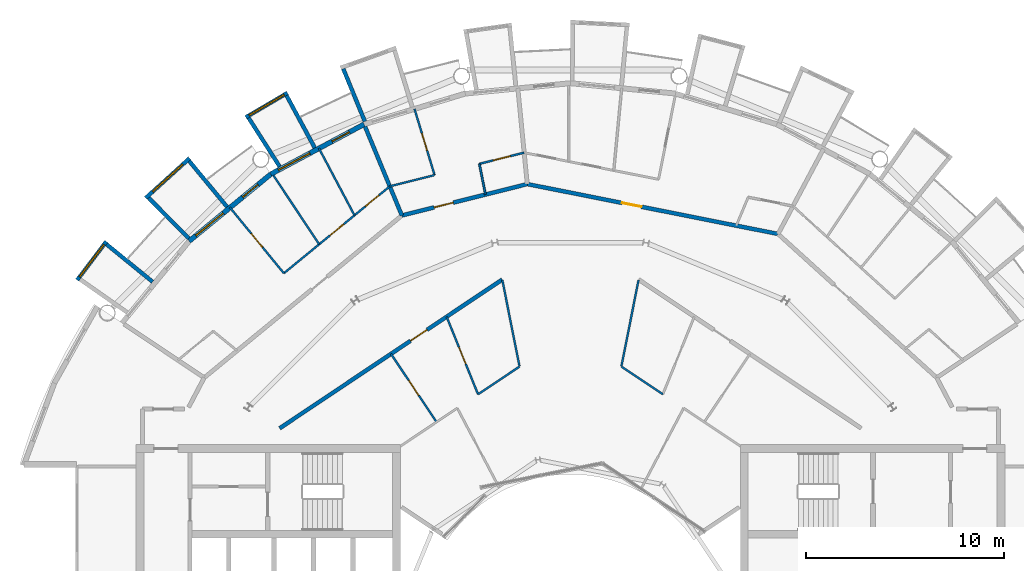
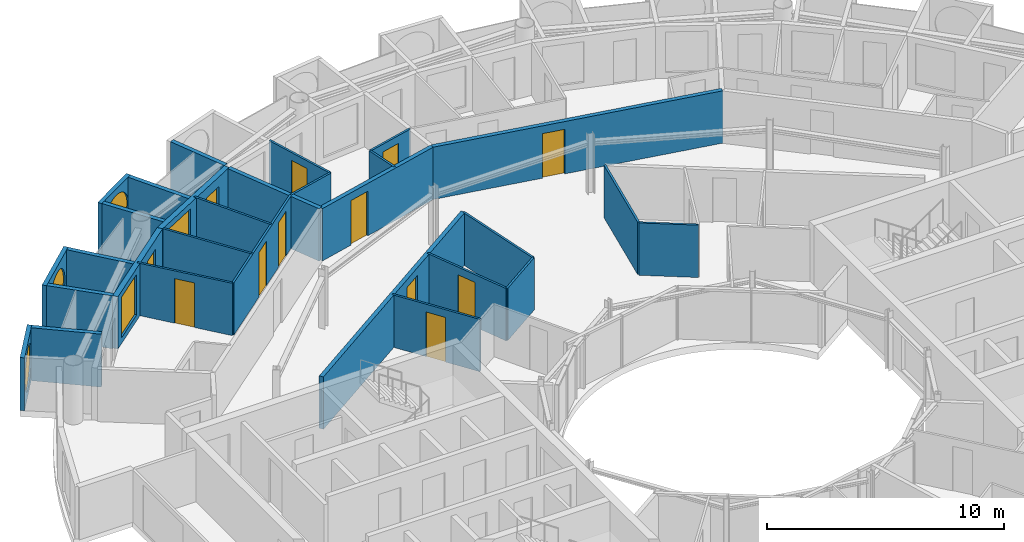
# One storey, part 21 of 28: 29 walls, 12 doors, 5 windows, 17 openings.
"""IFC4 building model written with IfcOpenShell, lengths in metres."""

from ifc_helpers import new_model, si_unit, direction, frame, frame_2d, origin, place, context, subcontext, project, spatial, rectangle, circle, extrude, material, layer, layer_set, type_object, element, fill, save


model = new_model("IFC4")

# Units and contexts
model_context = context("Model", 3, precision=1e-05, world=origin(), true_north=direction((0.0, 1.0)))
body_context = subcontext(model_context, "Body", "Model", "MODEL_VIEW")
ifc_project = project(units=[si_unit("LENGTHUNIT", "METRE"), si_unit("AREAUNIT", "SQUARE_METRE"), si_unit("VOLUMEUNIT", "CUBIC_METRE"), si_unit("PLANEANGLEUNIT", "RADIAN"), si_unit("MASSUNIT", "GRAM", prefix="KILO")], contexts=[model_context])

# Site, building, storey
site_placement = place(None, origin())
site = spatial("IfcSite", under=ifc_project, at=site_placement, CompositionType="ELEMENT")
building_placement = place(site_placement, origin())
building = spatial("IfcBuilding", under=site, at=building_placement, Name="Maasbend Ring Residences", CompositionType="ELEMENT")
storey_placement = place(building_placement, frame((0.0, 0.0, 227.949951171875)))
storey = spatial("IfcBuildingStorey", under=building, at=storey_placement, Name="L65", CompositionType="ELEMENT", Elevation=227.949951171875)

# Wall, opening, door
ifc_material_1 = material(Name="Concrete C30/37", Category="concrete")
ifc_layer_1 = layer(ifc_material_1, 0.199951171875)
ifc_layer_set_1 = layer_set([ifc_layer_1], Name="Concrete C30/37")
wall_type_1 = type_object("IfcWallType", Name="CORRIDOR WALL 200 CONCRETE", PredefinedType="PARTITIONING", material=ifc_layer_set_1)
wall_1_placement = place(storey_placement, frame((-14.718017578125, 9.83203125, 0.0), z_axis=(0.0, 0.0, 1.0), x_axis=(0.831437137577, 0.555618831806, 0.0)))
wall_1 = element("IfcWall", 1, at=wall_1_placement, inside=storey, type_object=wall_type_1, Name="U-L65-w091", PredefinedType="PARTITIONING", context=body_context, shape_type="SweptSolid", body=[
    extrude(rectangle(XDim=13.549072265625, YDim=0.199951171875, at=frame_2d((6.7744140625, 0.0))), origin(), (0.0, 0.0, 1.0), 2.699951171875),
])
opening_1_placement = place(wall_1_placement, frame((7.968017578125, 0.0, 0.0)))
opening_1 = element("IfcOpeningElement", 2, at=opening_1_placement, cuts=wall_1, Name="Opening D-6523", PredefinedType="OPENING", context=body_context, shape_type="SweptSolid", body=[
    extrude(rectangle(XDim=1.0, YDim=2.300048828125, at=frame_2d((0.5, 1.14990234375))), frame((0.0, 0.10986328125, 0.0), z_axis=(0.0, -1.0, 0.0), x_axis=(1.0, 0.0, 0.0)), (0.0, 0.0, 1.0), 0.219970703125),
])
ifc_material_2 = material(Name="Timber, fire-rated, painted", Category="wood")
door_type_1 = type_object("IfcDoorType", Name="FLAT ENTRANCE DOOR 1000 X 2300 FIRE-RATED", OperationType="NOTDEFINED", PredefinedType="DOOR", material=ifc_material_2)
door_1_placement = place(opening_1_placement, origin())
door_1 = element("IfcDoor", 3, at=door_1_placement, inside=storey, type_object=door_type_1, Name="D-6523", OperationType="SINGLE_SWING_RIGHT", OverallHeight=2.300048828125, OverallWidth=1.0, PredefinedType="DOOR", context=body_context, shape_type="SweptSolid", body=[
    extrude(rectangle(XDim=1.0, YDim=2.300048828125, at=frame_2d((0.5, 1.14990234375))), frame((0.0, 0.02490234375, 0.0), z_axis=(0.0, -1.0, 0.0), x_axis=(1.0, 0.0, 0.0)), (0.0, 0.0, 1.0), 0.050048828125),
])
fill(opening_1, door_1)

wall_2_placement = place(storey_placement, frame((-2.18603515625, 22.193115234375, 0.0), z_axis=(0.0, 0.0, 1.0), x_axis=(0.980780341017, -0.195115152343, 0.0)))
wall_2 = element("IfcWall", 4, at=wall_2_placement, inside=storey, type_object=wall_type_1, Name="U-L65-w094", PredefinedType="PARTITIONING", context=body_context, shape_type="SweptSolid", body=[
    extrude(rectangle(XDim=12.94677734375, YDim=0.199951171875, at=frame_2d((6.473388671875, 0.0))), origin(), (0.0, 0.0, 1.0), 2.699951171875),
])
opening_2_placement = place(wall_2_placement, frame((4.89501953125, 0.0, 0.0)))
opening_2 = element("IfcOpeningElement", 5, at=opening_2_placement, cuts=wall_2, Name="Opening D-6506", PredefinedType="OPENING", context=body_context, shape_type="SweptSolid", body=[
    extrude(rectangle(XDim=1.0, YDim=2.300048828125, at=frame_2d((0.5, 1.14990234375))), frame((0.0, 0.10986328125, 0.0), z_axis=(0.0, -1.0, 0.0), x_axis=(1.0, 0.0, 0.0)), (0.0, 0.0, 1.0), 0.219970703125),
])
door_2_placement = place(opening_2_placement, origin())
door_2 = element("IfcDoor", 6, at=door_2_placement, inside=storey, type_object=door_type_1, Name="D-6506", OperationType="SINGLE_SWING_LEFT", OverallHeight=2.300048828125, OverallWidth=1.0, PredefinedType="DOOR", context=body_context, shape_type="SweptSolid", body=[
    extrude(rectangle(XDim=1.0, YDim=2.300048828125, at=frame_2d((0.5, 1.14990234375))), frame((0.0, 0.02490234375, 0.0), z_axis=(0.0, -1.0, 0.0), x_axis=(1.0, 0.0, 0.0)), (0.0, 0.0, 1.0), 0.050048828125),
])
fill(opening_2, door_2)

wall_3_placement = place(storey_placement, frame((-8.533935546875, 20.60302734375, 0.0), z_axis=(0.0, 0.0, 1.0), x_axis=(0.97003047456, 0.242983288366, 0.0)))
wall_3 = element("IfcWall", 7, at=wall_3_placement, inside=storey, type_object=wall_type_1, Name="U-L65-w098", PredefinedType="PARTITIONING", context=body_context, shape_type="SweptSolid", body=[
    extrude(rectangle(XDim=6.5439453125, YDim=0.199951171875, at=frame_2d((3.27197265625, 0.0))), origin(), (0.0, 0.0, 1.0), 2.699951171875),
])
opening_3_placement = place(wall_3_placement, frame((1.680908203125, 0.0, 0.0)))
opening_3 = element("IfcOpeningElement", 8, at=opening_3_placement, cuts=wall_3, Name="Opening D-6511", PredefinedType="OPENING", context=body_context, shape_type="SweptSolid", body=[
    extrude(rectangle(XDim=1.0, YDim=2.300048828125, at=frame_2d((0.5, 1.14990234375))), frame((0.0, 0.10986328125, 0.0), z_axis=(0.0, -1.0, 0.0), x_axis=(1.0, 0.0, 0.0)), (0.0, 0.0, 1.0), 0.219970703125),
])
door_3_placement = place(opening_3_placement, origin())
door_3 = element("IfcDoor", 9, at=door_3_placement, inside=storey, type_object=door_type_1, Name="D-6511", OperationType="SINGLE_SWING_LEFT", OverallHeight=2.300048828125, OverallWidth=1.0, PredefinedType="DOOR", context=body_context, shape_type="SweptSolid", body=[
    extrude(rectangle(XDim=1.0, YDim=2.300048828125, at=frame_2d((0.5, 1.14990234375))), frame((0.0, 0.02490234375, 0.0), z_axis=(0.0, -1.0, 0.0), x_axis=(1.0, 0.0, 0.0)), (0.0, 0.0, 1.0), 0.050048828125),
])
fill(opening_3, door_3)

# Wall
ifc_material_3 = material(Name="Pale anodised aluminium panel", Category="aluminium")
ifc_layer_2 = layer(ifc_material_3, 0.199951171875)
ifc_layer_set_2 = layer_set([ifc_layer_2], Name="EW-BOX")
wall_type_2 = type_object("IfcWallType", Name="EW-BOX", PredefinedType="SOLIDWALL", material=ifc_layer_set_2)
wall_4_placement = place(storey_placement, frame((-10.408935546875, 25.364013671875, -0.030029296875), z_axis=(0.0, 0.0, 1.0), x_axis=(-0.379509886562, 0.925187681501, 0.0)))
element("IfcWall", 10, at=wall_4_placement, inside=storey, type_object=wall_type_2, Name="Box side wall N14 right", PredefinedType="SOLIDWALL", context=body_context, shape_type="SweptSolid", body=[
    extrude(rectangle(XDim=2.882568359375, YDim=0.199951171875, at=frame_2d((1.44140625, 0.0))), origin(), (0.0, 0.0, 1.0), 2.72998046875),
])

# Wall, opening, window
wall_5_placement = place(storey_placement, frame((-14.326904296875, 26.81201171875, -0.030029296875), z_axis=(0.0, 0.0, 1.0), x_axis=(-0.862403467503, -0.506221551535, 0.0)))
wall_5 = element("IfcWall", 11, at=wall_5_placement, inside=storey, type_object=wall_type_2, Name="Box front N16", PredefinedType="SOLIDWALL", context=body_context, shape_type="SweptSolid", body=[
    extrude(rectangle(XDim=2.445556640625, YDim=0.199951171875, at=frame_2d((1.22265625, 0.0))), origin(), (0.0, 0.0, 1.0), 2.72998046875),
])
opening_4_placement = place(wall_5_placement, frame((0.182861328125, 0.0, 0.330078125)))
opening_4 = element("IfcOpeningElement", 12, at=opening_4_placement, cuts=wall_5, Name="Opening W-RD", PredefinedType="OPENING", context=body_context, shape_type="SweptSolid", body=[
    extrude(circle(Radius=1.0400390625, at=frame_2d((1.0400390625, 1.0400390625))), frame((0.0, 0.10986328125, 0.0), z_axis=(0.0, -1.0, 0.0), x_axis=(1.0, 0.0, 0.0)), (0.0, 0.0, 1.0), 0.219970703125),
])
ifc_material_4 = material(Name="Aluminium and clear glass", Category="aluminium")
window_type_1 = type_object("IfcWindowType", Name="W-RD", PartitioningType="SINGLE_PANEL", PredefinedType="WINDOW", material=ifc_material_4)
window_1_placement = place(opening_4_placement, origin())
window_1 = element("IfcWindow", 13, at=window_1_placement, inside=storey, type_object=window_type_1, Name="Round window N16", OverallHeight=2.080078125, OverallWidth=2.080078125, PartitioningType="SINGLE_PANEL", PredefinedType="WINDOW", context=body_context, shape_type="SweptSolid", body=[
    extrude(circle(Radius=1.0400390625, at=frame_2d((1.0400390625, 1.0400390625))), frame((0.0, 0.030029296875, 0.0), z_axis=(0.0, -1.0, 0.0), x_axis=(1.0, 0.0, 0.0)), (0.0, 0.0, 1.0), 0.06005859375),
])
fill(opening_4, window_1)

# Walls
wall_6_placement = place(storey_placement, frame((-12.945068359375, 24.029052734375, -0.030029296875), z_axis=(0.0, 0.0, 1.0), x_axis=(-0.474424310775, 0.88029629861, 0.0)))
element("IfcWall", 14, at=wall_6_placement, inside=storey, type_object=wall_type_2, Name="Box side wall N16 left", PredefinedType="SOLIDWALL", context=body_context, shape_type="SweptSolid", body=[
    extrude(rectangle(XDim=3.005859375, YDim=0.199951171875, at=frame_2d((1.5029296875, 0.0))), origin(), (0.0, 0.0, 1.0), 2.72998046875),
])
wall_7_placement = place(storey_placement, frame((-14.721923828125, 23.0791015625, -0.030029296875), z_axis=(0.0, 0.0, 1.0), x_axis=(-0.537572179146, 0.843217737129, 0.0)))
element("IfcWall", 15, at=wall_7_placement, inside=storey, type_object=wall_type_2, Name="Box side wall N16 right", PredefinedType="SOLIDWALL", context=body_context, shape_type="SweptSolid", body=[
    extrude(rectangle(XDim=2.92431640625, YDim=0.199951171875, at=frame_2d((1.462158203125, 0.0))), origin(), (0.0, 0.0, 1.0), 2.72998046875),
])

# Wall, opening, window
wall_8_placement = place(storey_placement, frame((-19.281982421875, 23.5029296875, -0.030029296875), z_axis=(0.0, 0.0, 1.0), x_axis=(-0.740998365753, -0.671506829416, 0.0)))
wall_8 = element("IfcWall", 16, at=wall_8_placement, inside=storey, type_object=wall_type_2, Name="Box front N18", PredefinedType="SOLIDWALL", context=body_context, shape_type="SweptSolid", body=[
    extrude(rectangle(XDim=2.9931640625, YDim=0.199951171875, at=frame_2d((1.49658203125, 0.0))), origin(), (0.0, 0.0, 1.0), 2.72998046875),
])
opening_5_placement = place(wall_8_placement, frame((0.45654296875, 0.0, 0.330078125)))
opening_5 = element("IfcOpeningElement", 17, at=opening_5_placement, cuts=wall_8, Name="Opening W-RD", PredefinedType="OPENING", context=body_context, shape_type="SweptSolid", body=[
    extrude(circle(Radius=1.0400390625, at=frame_2d((1.0400390625, 1.0400390625))), frame((0.0, 0.10986328125, 0.0), z_axis=(0.0, -1.0, 0.0), x_axis=(1.0, 0.0, 0.0)), (0.0, 0.0, 1.0), 0.219970703125),
])
window_2_placement = place(opening_5_placement, origin())
window_2 = element("IfcWindow", 18, at=window_2_placement, inside=storey, type_object=window_type_1, Name="Round window N18", OverallHeight=2.080078125, OverallWidth=2.080078125, PartitioningType="SINGLE_PANEL", PredefinedType="WINDOW", context=body_context, shape_type="SweptSolid", body=[
    extrude(circle(Radius=1.0400390625, at=frame_2d((1.0400390625, 1.0400390625))), frame((0.0, 0.030029296875, 0.0), z_axis=(0.0, -1.0, 0.0), x_axis=(1.0, 0.0, 0.0)), (0.0, 0.0, 1.0), 0.06005859375),
])
fill(opening_5, window_2)

# Walls
wall_9_placement = place(storey_placement, frame((-17.384033203125, 21.041015625, -0.030029296875), z_axis=(0.0, 0.0, 1.0), x_axis=(-0.63709551667, 0.770784861449, 0.0)))
element("IfcWall", 19, at=wall_9_placement, inside=storey, type_object=wall_type_2, Name="Box side wall N18 left", PredefinedType="SOLIDWALL", context=body_context, shape_type="SweptSolid", body=[
    extrude(rectangle(XDim=3.005859375, YDim=0.199951171875, at=frame_2d((1.5029296875, 0.0))), origin(), (0.0, 0.0, 1.0), 2.72998046875),
])
wall_10_placement = place(storey_placement, frame((-19.322998046875, 19.449951171875, -0.030029296875), z_axis=(0.0, 0.0, 1.0), x_axis=(-0.704476739375, 0.709727076896, 0.0)))
element("IfcWall", 20, at=wall_10_placement, inside=storey, type_object=wall_type_2, Name="Box side wall N18 right", PredefinedType="SOLIDWALL", context=body_context, shape_type="SweptSolid", body=[
    extrude(rectangle(XDim=2.883056640625, YDim=0.199951171875, at=frame_2d((1.44140625, 0.0))), origin(), (0.0, 0.0, 1.0), 2.72998046875),
])

# Wall, opening, window
wall_11_placement = place(storey_placement, frame((-23.4970703125, 19.2890625, -0.030029296875), z_axis=(0.0, 0.0, 1.0), x_axis=(-0.602806268067, -0.797887588059, 0.0)))
wall_11 = element("IfcWall", 21, at=wall_11_placement, inside=storey, type_object=wall_type_2, Name="Box front N20", PredefinedType="SOLIDWALL", context=body_context, shape_type="SweptSolid", body=[
    extrude(rectangle(XDim=2.446533203125, YDim=0.199951171875, at=frame_2d((1.22314453125, 0.0))), origin(), (0.0, 0.0, 1.0), 2.72998046875),
])
opening_6_placement = place(wall_11_placement, frame((0.182861328125, 0.0, 0.330078125)))
opening_6 = element("IfcOpeningElement", 22, at=opening_6_placement, cuts=wall_11, Name="Opening W-RD", PredefinedType="OPENING", context=body_context, shape_type="SweptSolid", body=[
    extrude(circle(Radius=1.0400390625, at=frame_2d((1.0400390625, 1.0400390625))), frame((0.0, 0.10986328125, 0.0), z_axis=(0.0, -1.0, 0.0), x_axis=(1.0, 0.0, 0.0)), (0.0, 0.0, 1.0), 0.219970703125),
])
window_3_placement = place(opening_6_placement, origin())
window_3 = element("IfcWindow", 23, at=window_3_placement, inside=storey, type_object=window_type_1, Name="Round window N20", OverallHeight=2.080078125, OverallWidth=2.080078125, PartitioningType="SINGLE_PANEL", PredefinedType="WINDOW", context=body_context, shape_type="SweptSolid", body=[
    extrude(circle(Radius=1.0400390625, at=frame_2d((1.0400390625, 1.0400390625))), frame((0.0, 0.030029296875, 0.0), z_axis=(0.0, -1.0, 0.0), x_axis=(1.0, 0.0, 0.0)), (0.0, 0.0, 1.0), 0.06005859375),
])
fill(opening_6, window_3)

# Wall
wall_12_placement = place(storey_placement, frame((-21.155029296875, 17.24609375, -0.030029296875), z_axis=(0.0, 0.0, 1.0), x_axis=(-0.775179004516, 0.631741648902, 0.0)))
element("IfcWall", 24, at=wall_12_placement, inside=storey, type_object=wall_type_2, Name="Box side wall N20 left", PredefinedType="SOLIDWALL", context=body_context, shape_type="SweptSolid", body=[
    extrude(rectangle(XDim=3.005859375, YDim=0.199951171875, at=frame_2d((1.5029296875, 0.0))), origin(), (0.0, 0.0, 1.0), 2.72998046875),
])

# Wall, openings, door, window
ifc_material_5 = material(Name="Aluminium clad insulated panel", Category="aluminium")
ifc_layer_3 = layer(ifc_material_5, 0.25)
ifc_layer_set_3 = layer_set([ifc_layer_3], Name="EW-GL")
wall_type_3 = type_object("IfcWallType", Name="EW-GL", PredefinedType="SOLIDWALL", material=ifc_layer_set_3)
wall_13_placement = place(storey_placement, frame((-10.447021484375, 25.221923828125, 0.0), z_axis=(0.0, 0.0, 1.0), x_axis=(-0.881915646801, -0.471407246368, 0.0)))
wall_13 = element("IfcWall", 25, at=wall_13_placement, inside=storey, type_object=wall_type_3, Name="External wall N08", PredefinedType="SOLIDWALL", context=body_context, shape_type="SweptSolid", body=[
    extrude(rectangle(XDim=5.35205078125, YDim=0.25, at=frame_2d((2.676025390625, 0.0))), origin(), (0.0, 0.0, 1.0), 2.699951171875),
])
opening_7_placement = place(wall_13_placement, frame((0.841064453125, 0.0, 0.0)))
opening_7 = element("IfcOpeningElement", 26, at=opening_7_placement, cuts=wall_13, Name="Opening D-LG", PredefinedType="OPENING", context=body_context, shape_type="SweptSolid", body=[
    extrude(rectangle(XDim=1.0, YDim=2.199951171875, at=frame_2d((0.5, 1.10009765625))), frame((0.0, 0.135009765625, 0.0), z_axis=(0.0, -1.0, 0.0), x_axis=(1.0, 0.0, 0.0)), (0.0, 0.0, 1.0), 0.27001953125),
])
opening_8_placement = place(wall_13_placement, frame((3.110595703125, 0.0, 0.300048828125)))
opening_8 = element("IfcOpeningElement", 27, at=opening_8_placement, cuts=wall_13, Name="Opening W-BX", PredefinedType="OPENING", context=body_context, shape_type="SweptSolid", body=[
    extrude(rectangle(XDim=1.800048828125, YDim=2.10009765625, at=frame_2d((0.89990234375, 1.050048828125))), frame((0.0, 0.135009765625, 0.0), z_axis=(0.0, -1.0, 0.0), x_axis=(1.0, 0.0, 0.0)), (0.0, 0.0, 1.0), 0.27001953125),
])
ifc_material_6 = material(Name="Aluminium and clear glass", Category="aluminium")
door_type_2 = type_object("IfcDoorType", Name="D-LG", OperationType="SINGLE_SWING_LEFT", PredefinedType="DOOR", material=ifc_material_6)
door_4_placement = place(opening_7_placement, origin())
door_4 = element("IfcDoor", 28, at=door_4_placement, inside=storey, type_object=door_type_2, Name="Loggia door N15", OperationType="SINGLE_SWING_LEFT", OverallHeight=2.199951171875, OverallWidth=1.0, PredefinedType="DOOR", context=body_context, shape_type="SweptSolid", body=[
    extrude(rectangle(XDim=1.0, YDim=2.199951171875, at=frame_2d((0.5, 1.10009765625))), frame((0.0, 0.02490234375, 0.0), z_axis=(0.0, -1.0, 0.0), x_axis=(1.0, 0.0, 0.0)), (0.0, 0.0, 1.0), 0.050048828125),
])
fill(opening_7, door_4)
ifc_material_7 = material(Name="Aluminium and clear glass", Category="aluminium")
window_type_2 = type_object("IfcWindowType", Name="W-BX", PartitioningType="DOUBLE_PANEL_VERTICAL", PredefinedType="WINDOW", material=ifc_material_7)
window_4_placement = place(opening_8_placement, origin())
window_4 = element("IfcWindow", 29, at=window_4_placement, inside=storey, type_object=window_type_2, Name="Window N16 room to box", OverallHeight=2.10009765625, OverallWidth=1.800048828125, PartitioningType="SINGLE_PANEL", PredefinedType="WINDOW", context=body_context, shape_type="SweptSolid", body=[
    extrude(rectangle(XDim=1.800048828125, YDim=2.10009765625, at=frame_2d((0.89990234375, 1.050048828125))), frame((0.0, 0.030029296875, 0.0), z_axis=(0.0, -1.0, 0.0), x_axis=(1.0, 0.0, 0.0)), (0.0, 0.0, 1.0), 0.06005859375),
])
fill(opening_8, window_4)

wall_14_placement = place(storey_placement, frame((-15.1669921875, 22.698974609375, 0.0), z_axis=(0.0, 0.0, 1.0), x_axis=(-0.773019449054, -0.634382322723, 0.0)))
wall_14 = element("IfcWall", 30, at=wall_14_placement, inside=storey, type_object=wall_type_3, Name="External wall N09", PredefinedType="SOLIDWALL", context=body_context, shape_type="SweptSolid", body=[
    extrude(rectangle(XDim=5.351806640625, YDim=0.25, at=frame_2d((2.67578125, 0.0))), origin(), (0.0, 0.0, 1.0), 2.699951171875),
])
opening_9_placement = place(wall_14_placement, frame((0.841064453125, 0.0, 0.0)))
opening_9 = element("IfcOpeningElement", 31, at=opening_9_placement, cuts=wall_14, Name="Opening D-LG", PredefinedType="OPENING", context=body_context, shape_type="SweptSolid", body=[
    extrude(rectangle(XDim=1.0, YDim=2.199951171875, at=frame_2d((0.5, 1.10009765625))), frame((0.0, 0.135009765625, 0.0), z_axis=(0.0, -1.0, 0.0), x_axis=(1.0, 0.0, 0.0)), (0.0, 0.0, 1.0), 0.27001953125),
])
opening_10_placement = place(wall_14_placement, frame((3.110595703125, 0.0, 0.300048828125)))
opening_10 = element("IfcOpeningElement", 32, at=opening_10_placement, cuts=wall_14, Name="Opening W-BX", PredefinedType="OPENING", context=body_context, shape_type="SweptSolid", body=[
    extrude(rectangle(XDim=1.800048828125, YDim=2.10009765625, at=frame_2d((0.89990234375, 1.050048828125))), frame((0.0, 0.135009765625, 0.0), z_axis=(0.0, -1.0, 0.0), x_axis=(1.0, 0.0, 0.0)), (0.0, 0.0, 1.0), 0.27001953125),
])
door_5_placement = place(opening_9_placement, origin())
door_5 = element("IfcDoor", 33, at=door_5_placement, inside=storey, type_object=door_type_2, Name="Loggia door N17", OperationType="SINGLE_SWING_LEFT", OverallHeight=2.199951171875, OverallWidth=1.0, PredefinedType="DOOR", context=body_context, shape_type="SweptSolid", body=[
    extrude(rectangle(XDim=1.0, YDim=2.199951171875, at=frame_2d((0.5, 1.10009765625))), frame((0.0, 0.02490234375, 0.0), z_axis=(0.0, -1.0, 0.0), x_axis=(1.0, 0.0, 0.0)), (0.0, 0.0, 1.0), 0.050048828125),
])
fill(opening_9, door_5)
window_5_placement = place(opening_10_placement, origin())
window_5 = element("IfcWindow", 34, at=window_5_placement, inside=storey, type_object=window_type_2, Name="Window N18 room to box", OverallHeight=2.10009765625, OverallWidth=1.800048828125, PartitioningType="SINGLE_PANEL", PredefinedType="WINDOW", context=body_context, shape_type="SweptSolid", body=[
    extrude(rectangle(XDim=1.800048828125, YDim=2.10009765625, at=frame_2d((0.89990234375, 1.050048828125))), frame((0.0, 0.030029296875, 0.0), z_axis=(0.0, -1.0, 0.0), x_axis=(1.0, 0.0, 0.0)), (0.0, 0.0, 1.0), 0.06005859375),
])
fill(opening_10, window_5)

# Wall
ifc_material_8 = material(Name="Gypsum board on steel studs", Category="steel")
ifc_layer_4 = layer(ifc_material_8, 0.10009765625)
ifc_layer_set_4 = layer_set([ifc_layer_4], Name="PARTITION 100 GYPSUM")
wall_type_4 = type_object("IfcWallType", Name="PARTITION 100 GYPSUM", PredefinedType="PARTITIONING", material=ifc_layer_set_4)
wall_15_placement = place(storey_placement, frame((-4.610107421875, 23.217041015625, 0.0), z_axis=(0.0, 0.0, 1.0), x_axis=(0.194485862594, -0.980905321247, 0.0)))
element("IfcWall", 35, at=wall_15_placement, inside=storey, type_object=wall_type_4, Name="U-L65-w031", PredefinedType="PARTITIONING", context=body_context, shape_type="SweptSolid", body=[
    extrude(rectangle(XDim=1.584228515625, YDim=0.10009765625, at=frame_2d((0.7919921875, 0.0))), origin(), (0.0, 0.0, 1.0), 2.699951171875),
])

# Wall, opening, door
wall_16_placement = place(storey_placement, frame((-17.239990234375, 21.007080078125, 0.0), z_axis=(0.0, 0.0, 1.0), x_axis=(0.634342681687, -0.77305197897, 0.0)))
wall_16 = element("IfcWall", 36, at=wall_16_placement, inside=storey, type_object=wall_type_4, Name="U-L65-w037", PredefinedType="PARTITIONING", context=body_context, shape_type="SweptSolid", body=[
    extrude(rectangle(XDim=4.30517578125, YDim=0.10009765625, at=frame_2d((2.152587890625, 0.0))), origin(), (0.0, 0.0, 1.0), 2.699951171875),
])
opening_11_placement = place(wall_16_placement, frame((1.702880859375, 0.0, 0.0)))
opening_11 = element("IfcOpeningElement", 37, at=opening_11_placement, cuts=wall_16, Name="Opening D-6516", PredefinedType="OPENING", context=body_context, shape_type="SweptSolid", body=[
    extrude(rectangle(XDim=0.89990234375, YDim=2.300048828125, at=frame_2d((0.449951171875, 1.14990234375))), frame((0.0, 0.06005859375, 0.0), z_axis=(0.0, -1.0, 0.0), x_axis=(1.0, 0.0, 0.0)), (0.0, 0.0, 1.0), 0.1201171875),
])
ifc_material_9 = material(Name="Timber, painted", Category="wood")
door_type_3 = type_object("IfcDoorType", Name="INTERNAL DOOR 900 X 2300", OperationType="NOTDEFINED", PredefinedType="DOOR", material=ifc_material_9)
door_6_placement = place(opening_11_placement, origin())
door_6 = element("IfcDoor", 38, at=door_6_placement, inside=storey, type_object=door_type_3, Name="D-6516", OperationType="SINGLE_SWING_LEFT", OverallHeight=2.300048828125, OverallWidth=0.89990234375, PredefinedType="DOOR", context=body_context, shape_type="SweptSolid", body=[
    extrude(rectangle(XDim=0.89990234375, YDim=2.300048828125, at=frame_2d((0.449951171875, 1.14990234375))), frame((0.0, 0.02490234375, 0.0), z_axis=(0.0, -1.0, 0.0), x_axis=(1.0, 0.0, 0.0)), (0.0, 0.0, 1.0), 0.050048828125),
])
fill(opening_11, door_6)

# Wall
wall_17_placement = place(storey_placement, frame((-12.73388671875, 24.007080078125, 0.0), z_axis=(0.0, 0.0, 1.0), x_axis=(0.468594334564, -0.883413464701, 0.0)))
element("IfcWall", 39, at=wall_17_placement, inside=storey, type_object=wall_type_4, Name="U-L65-w039", PredefinedType="PARTITIONING", context=body_context, shape_type="SweptSolid", body=[
    extrude(rectangle(XDim=3.8408203125, YDim=0.10009765625, at=frame_2d((1.92041015625, 0.0))), origin(), (0.0, 0.0, 1.0), 2.699951171875),
])

# Wall, opening, door
wall_18_placement = place(storey_placement, frame((-9.0849609375, 13.596923828125, 0.0), z_axis=(0.0, 0.0, 1.0), x_axis=(0.555528237031, -0.831497671591, 0.0)))
wall_18 = element("IfcWall", 40, at=wall_18_placement, inside=storey, type_object=wall_type_4, Name="U-L65-w043", PredefinedType="PARTITIONING", context=body_context, shape_type="SweptSolid", body=[
    extrude(rectangle(XDim=4.149169921875, YDim=0.10009765625, at=frame_2d((2.07470703125, 0.0))), origin(), (0.0, 0.0, 1.0), 2.699951171875),
])
opening_12_placement = place(wall_18_placement, frame((1.625, 0.0, 0.0)))
opening_12 = element("IfcOpeningElement", 41, at=opening_12_placement, cuts=wall_18, Name="Opening D-6525", PredefinedType="OPENING", context=body_context, shape_type="SweptSolid", body=[
    extrude(rectangle(XDim=0.89990234375, YDim=2.300048828125, at=frame_2d((0.449951171875, 1.14990234375))), frame((0.0, 0.06005859375, 0.0), z_axis=(0.0, -1.0, 0.0), x_axis=(1.0, 0.0, 0.0)), (0.0, 0.0, 1.0), 0.1201171875),
])
door_7_placement = place(opening_12_placement, origin())
door_7 = element("IfcDoor", 42, at=door_7_placement, inside=storey, type_object=door_type_3, Name="D-6525", OperationType="SINGLE_SWING_LEFT", OverallHeight=2.300048828125, OverallWidth=0.89990234375, PredefinedType="DOOR", context=body_context, shape_type="SweptSolid", body=[
    extrude(rectangle(XDim=0.89990234375, YDim=2.300048828125, at=frame_2d((0.449951171875, 1.14990234375))), frame((0.0, 0.02490234375, 0.0), z_axis=(0.0, -1.0, 0.0), x_axis=(1.0, 0.0, 0.0)), (0.0, 0.0, 1.0), 0.050048828125),
])
fill(opening_12, door_7)

wall_19_placement = place(storey_placement, frame((-7.89697265625, 26.001953125, 0.0), z_axis=(0.0, 0.0, 1.0), x_axis=(0.290784578865, -0.956788549625, 0.0)))
wall_19 = element("IfcWall", 43, at=wall_19_placement, inside=storey, type_object=wall_type_4, Name="U-L65-w045", PredefinedType="PARTITIONING", context=body_context, shape_type="SweptSolid", body=[
    extrude(rectangle(XDim=3.50439453125, YDim=0.10009765625, at=frame_2d((1.752197265625, 0.0))), origin(), (0.0, 0.0, 1.0), 2.699951171875),
])
opening_13_placement = place(wall_19_placement, frame((1.302001953125, 0.0, 0.0)))
opening_13 = element("IfcOpeningElement", 44, at=opening_13_placement, cuts=wall_19, Name="Opening D-6513", PredefinedType="OPENING", context=body_context, shape_type="SweptSolid", body=[
    extrude(rectangle(XDim=0.89990234375, YDim=2.300048828125, at=frame_2d((0.449951171875, 1.14990234375))), frame((0.0, 0.06005859375, 0.0), z_axis=(0.0, -1.0, 0.0), x_axis=(1.0, 0.0, 0.0)), (0.0, 0.0, 1.0), 0.1201171875),
])
door_8_placement = place(opening_13_placement, origin())
door_8 = element("IfcDoor", 45, at=door_8_placement, inside=storey, type_object=door_type_3, Name="D-6513", OperationType="SINGLE_SWING_RIGHT", OverallHeight=2.300048828125, OverallWidth=0.89990234375, PredefinedType="DOOR", context=body_context, shape_type="SweptSolid", body=[
    extrude(rectangle(XDim=0.89990234375, YDim=2.300048828125, at=frame_2d((0.449951171875, 1.14990234375))), frame((0.0, 0.02490234375, 0.0), z_axis=(0.0, -1.0, 0.0), x_axis=(1.0, 0.0, 0.0)), (0.0, 0.0, 1.0), 0.050048828125),
])
fill(opening_13, door_8)

wall_20_placement = place(storey_placement, frame((-6.26904296875, 15.47802734375, 0.0), z_axis=(0.0, 0.0, 1.0), x_axis=(0.375509828455, -0.926818411952, 0.0)))
wall_20 = element("IfcWall", 46, at=wall_20_placement, inside=storey, type_object=wall_type_4, Name="U-L65-w047", PredefinedType="PARTITIONING", context=body_context, shape_type="SweptSolid", body=[
    extrude(rectangle(XDim=4.237060546875, YDim=0.10009765625, at=frame_2d((2.11865234375, 0.0))), origin(), (0.0, 0.0, 1.0), 2.699951171875),
])
opening_14_placement = place(wall_20_placement, frame((1.6689453125, 0.0, 0.0)))
opening_14 = element("IfcOpeningElement", 47, at=opening_14_placement, cuts=wall_20, Name="Opening D-6524", PredefinedType="OPENING", context=body_context, shape_type="SweptSolid", body=[
    extrude(rectangle(XDim=0.89990234375, YDim=2.300048828125, at=frame_2d((0.449951171875, 1.14990234375))), frame((0.0, 0.06005859375, 0.0), z_axis=(0.0, -1.0, 0.0), x_axis=(1.0, 0.0, 0.0)), (0.0, 0.0, 1.0), 0.1201171875),
])
door_9_placement = place(opening_14_placement, origin())
door_9 = element("IfcDoor", 48, at=door_9_placement, inside=storey, type_object=door_type_3, Name="D-6524", OperationType="SINGLE_SWING_LEFT", OverallHeight=2.300048828125, OverallWidth=0.89990234375, PredefinedType="DOOR", context=body_context, shape_type="SweptSolid", body=[
    extrude(rectangle(XDim=0.89990234375, YDim=2.300048828125, at=frame_2d((0.449951171875, 1.14990234375))), frame((0.0, 0.02490234375, 0.0), z_axis=(0.0, -1.0, 0.0), x_axis=(1.0, 0.0, 0.0)), (0.0, 0.0, 1.0), 0.050048828125),
])
fill(opening_14, door_9)

# Walls
wall_21_placement = place(storey_placement, frame((-15.0390625, 22.634033203125, 0.0), z_axis=(0.0, 0.0, 1.0), x_axis=(0.553609857728, -0.832776155654, 0.0)))
element("IfcWall", 49, at=wall_21_placement, inside=storey, type_object=wall_type_4, Name="U-L65-w081", PredefinedType="PARTITIONING", context=body_context, shape_type="SweptSolid", body=[
    extrude(rectangle(XDim=4.187255859375, YDim=0.10009765625, at=frame_2d((2.09375, 0.0))), origin(), (0.0, 0.0, 1.0), 2.699951171875),
])
for number, where, z_axis, x_axis, name in (
    (50, (-4.677978515625, 11.551025390625, 0.0), (0.0, 0.0, 1.0), (0.831440395268, 0.555613956912, 0.0), "U-L65-w088"),
    (51, (2.576904296875, 12.955078125, 0.0), (0.0, 0.0, 1.0), (0.831440395268, -0.555613956912, 0.0), "U-L65-w089"),
):
    element("IfcWall", number, at=place(storey_placement, frame(where, z_axis=z_axis, x_axis=x_axis)), inside=storey, type_object=wall_type_4, Name=name, PredefinedType="PARTITIONING", context=body_context, shape_type="SweptSolid", body=[
        extrude(rectangle(XDim=2.527099609375, YDim=0.10009765625, at=frame_2d((1.263671875, 0.0))), origin(), (0.0, 0.0, 1.0), 2.699951171875),
    ])

# Wall, openings, doors
wall_22_placement = place(storey_placement, frame((-14.5048828125, 17.680908203125, 0.0), z_axis=(0.0, 0.0, 1.0), x_axis=(0.773067618794, 0.634323621484, 0.0)))
wall_22 = element("IfcWall", 52, at=wall_22_placement, inside=storey, type_object=wall_type_4, Name="U-L65-w102", PredefinedType="PARTITIONING", context=body_context, shape_type="SweptSolid", body=[
    extrude(rectangle(XDim=6.938232421875, YDim=0.10009765625, at=frame_2d((3.46923828125, 0.0))), origin(), (0.0, 0.0, 1.0), 2.699951171875),
])
opening_15_placement = place(wall_22_placement, frame((3.01611328125, 0.0, 0.0)))
opening_15 = element("IfcOpeningElement", 53, at=opening_15_placement, cuts=wall_22, Name="Opening D-6517", PredefinedType="OPENING", context=body_context, shape_type="SweptSolid", body=[
    extrude(rectangle(XDim=0.89990234375, YDim=2.300048828125, at=frame_2d((0.449951171875, 1.14990234375))), frame((0.0, 0.06005859375, 0.0), z_axis=(0.0, -1.0, 0.0), x_axis=(1.0, 0.0, 0.0)), (0.0, 0.0, 1.0), 0.1201171875),
])
opening_16_placement = place(wall_22_placement, frame((5.324951171875, 0.0, 0.0)))
opening_16 = element("IfcOpeningElement", 54, at=opening_16_placement, cuts=wall_22, Name="Opening D-6518", PredefinedType="OPENING", context=body_context, shape_type="SweptSolid", body=[
    extrude(rectangle(XDim=0.89990234375, YDim=2.300048828125, at=frame_2d((0.449951171875, 1.14990234375))), frame((0.0, 0.06005859375, 0.0), z_axis=(0.0, -1.0, 0.0), x_axis=(1.0, 0.0, 0.0)), (0.0, 0.0, 1.0), 0.1201171875),
])
door_10_placement = place(opening_15_placement, origin())
door_10 = element("IfcDoor", 55, at=door_10_placement, inside=storey, type_object=door_type_3, Name="D-6517", OperationType="SINGLE_SWING_LEFT", OverallHeight=2.300048828125, OverallWidth=0.89990234375, PredefinedType="DOOR", context=body_context, shape_type="SweptSolid", body=[
    extrude(rectangle(XDim=0.89990234375, YDim=2.300048828125, at=frame_2d((0.449951171875, 1.14990234375))), frame((0.0, 0.02490234375, 0.0), z_axis=(0.0, -1.0, 0.0), x_axis=(1.0, 0.0, 0.0)), (0.0, 0.0, 1.0), 0.050048828125),
])
fill(opening_15, door_10)
door_11_placement = place(opening_16_placement, origin())
door_11 = element("IfcDoor", 56, at=door_11_placement, inside=storey, type_object=door_type_3, Name="D-6518", OperationType="SINGLE_SWING_RIGHT", OverallHeight=2.300048828125, OverallWidth=0.89990234375, PredefinedType="DOOR", context=body_context, shape_type="SweptSolid", body=[
    extrude(rectangle(XDim=0.89990234375, YDim=2.300048828125, at=frame_2d((0.449951171875, 1.14990234375))), frame((0.0, 0.02490234375, 0.0), z_axis=(0.0, -1.0, 0.0), x_axis=(1.0, 0.0, 0.0)), (0.0, 0.0, 1.0), 0.050048828125),
])
fill(opening_16, door_11)

# Wall
wall_23_placement = place(storey_placement, frame((-9.14794921875, 22.080078125, 0.0), z_axis=(0.0, 0.0, 1.0), x_axis=(0.9700564467, 0.242879579658, 0.0)))
element("IfcWall", 57, at=wall_23_placement, inside=storey, type_object=wall_type_4, Name="U-L65-w107", PredefinedType="PARTITIONING", context=body_context, shape_type="SweptSolid", body=[
    extrude(rectangle(XDim=2.338134765625, YDim=0.10009765625, at=frame_2d((1.1689453125, 0.0))), origin(), (0.0, 0.0, 1.0), 2.699951171875),
])

# Wall, opening, door
wall_24_placement = place(storey_placement, frame((-4.610107421875, 23.217041015625, 0.0), z_axis=(0.0, 0.0, 1.0), x_axis=(0.970031792706, 0.242978026043, 0.0)))
wall_24 = element("IfcWall", 58, at=wall_24_placement, inside=storey, type_object=wall_type_4, Name="U-L65-w108", PredefinedType="PARTITIONING", context=body_context, shape_type="SweptSolid", body=[
    extrude(rectangle(XDim=2.337158203125, YDim=0.10009765625, at=frame_2d((1.16845703125, 0.0))), origin(), (0.0, 0.0, 1.0), 2.699951171875),
])
opening_17_placement = place(wall_24_placement, frame((0.718994140625, 0.0, 0.0)))
opening_17 = element("IfcOpeningElement", 59, at=opening_17_placement, cuts=wall_24, Name="Opening D-6512", PredefinedType="OPENING", context=body_context, shape_type="SweptSolid", body=[
    extrude(rectangle(XDim=0.89990234375, YDim=2.300048828125, at=frame_2d((0.449951171875, 1.14990234375))), frame((0.0, 0.06005859375, 0.0), z_axis=(0.0, -1.0, 0.0), x_axis=(1.0, 0.0, 0.0)), (0.0, 0.0, 1.0), 0.1201171875),
])
door_12_placement = place(opening_17_placement, origin())
door_12 = element("IfcDoor", 60, at=door_12_placement, inside=storey, type_object=door_type_3, Name="D-6512", OperationType="SINGLE_SWING_LEFT", OverallHeight=2.300048828125, OverallWidth=0.89990234375, PredefinedType="DOOR", context=body_context, shape_type="SweptSolid", body=[
    extrude(rectangle(XDim=0.89990234375, YDim=2.300048828125, at=frame_2d((0.449951171875, 1.14990234375))), frame((0.0, 0.02490234375, 0.0), z_axis=(0.0, -1.0, 0.0), x_axis=(1.0, 0.0, 0.0)), (0.0, 0.0, 1.0), 0.050048828125),
])
fill(opening_17, door_12)

# Walls
for number, where, z_axis, x_axis, name in (
    (61, (2.5810546875, 12.97607421875, 0.0), (0.0, 0.0, 1.0), (0.195102838171, 0.980782790702, 0.0), "U-L65-w109"),
    (62, (-3.448974609375, 17.339111328125, 0.0), (0.0, 0.0, 1.0), (0.195102838171, -0.980782790702, 0.0), "U-L65-w110"),
):
    element("IfcWall", number, at=place(storey_placement, frame(where, z_axis=z_axis, x_axis=x_axis)), inside=storey, type_object=wall_type_4, Name=name, PredefinedType="PARTITIONING", context=body_context, shape_type="SweptSolid", body=[
        extrude(rectangle(XDim=4.448486328125, YDim=0.10009765625, at=frame_2d((2.22412109375, 0.0))), origin(), (0.0, 0.0, 1.0), 2.699951171875),
    ])
ifc_material_10 = material(Name="Concrete C30/37", Category="concrete")
ifc_layer_5 = layer(ifc_material_10, 0.199951171875)
ifc_layer_set_5 = layer_set([ifc_layer_5], Name="Concrete C30/37")
wall_type_5 = type_object("IfcWallType", Name="PARTY WALL 200 CONCRETE", PredefinedType="PARTITIONING", material=ifc_layer_set_5)
wall_25_placement = place(storey_placement, frame((-10.39892578125, 25.10595703125, 0.0), z_axis=(0.0, 0.0, 1.0), x_axis=(0.382651153718, -0.923892902104, 0.0)))
element("IfcWall", 63, at=wall_25_placement, inside=storey, type_object=wall_type_5, Name="U-L65-w042", PredefinedType="PARTITIONING", context=body_context, shape_type="SweptSolid", body=[
    extrude(rectangle(XDim=4.873779296875, YDim=0.199951171875, at=frame_2d((2.43701171875, 0.0))), origin(), (0.0, 0.0, 1.0), 2.699951171875),
])

save(model, "model.ifc")
